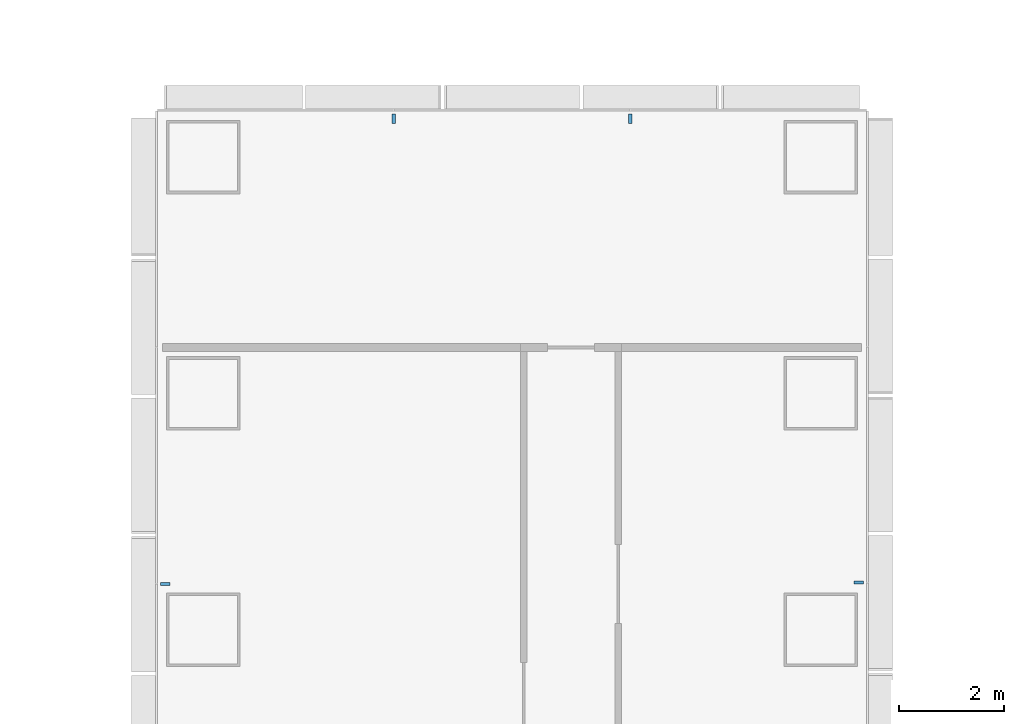
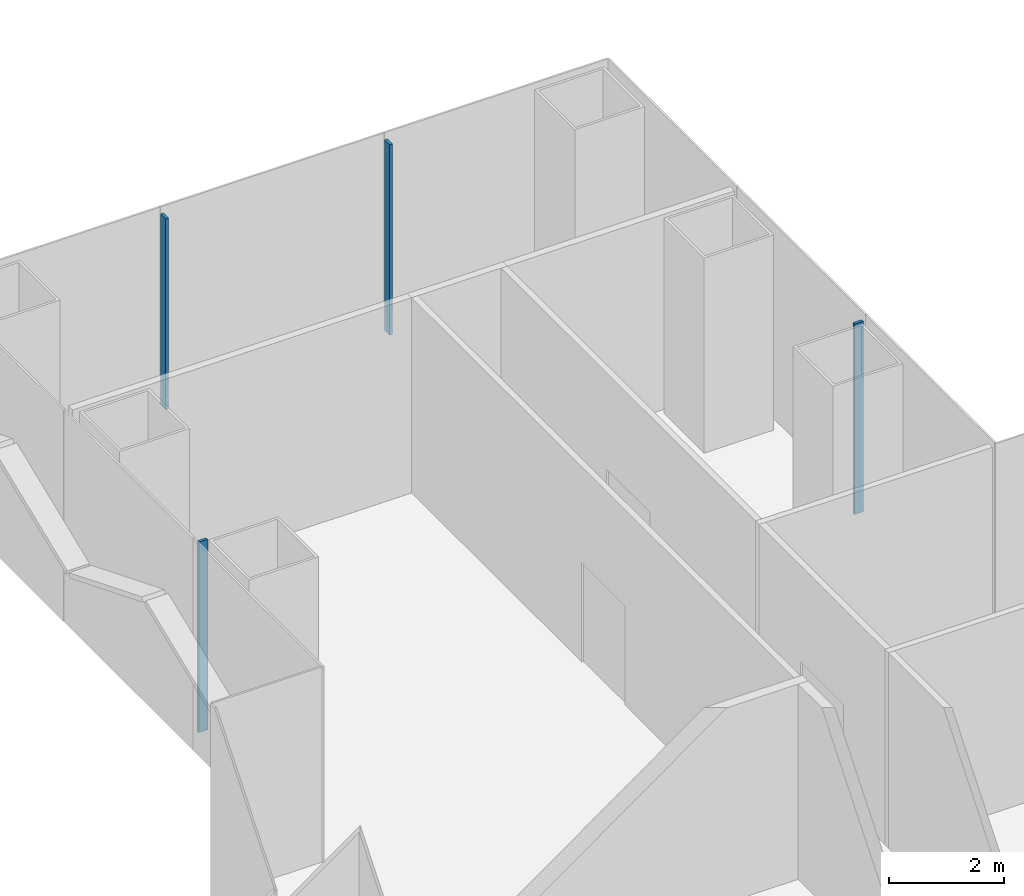
# One storey, part 6 of 22: 4 members, 3 elements without a shape of their own.
"""IFC4 building model written with IfcOpenShell, lengths in metres."""

from ifc_helpers import new_model, si_unit, direction, frame, origin, origin_2d, place, context, subcontext, project, spatial, rectangle, extrude, material, layer, layer_set, material_profile, profile_set, type_object, element, aggregate, save


model = new_model("IFC4")

# Units and contexts
model_context = context("Model", 3, precision=1e-05, world=origin(), true_north=direction((0.0, 1.0)))
body_context = subcontext(model_context, "Body", "Model", "MODEL_VIEW")
ifc_project = project(units=[si_unit("LENGTHUNIT", "METRE"), si_unit("AREAUNIT", "SQUARE_METRE"), si_unit("VOLUMEUNIT", "CUBIC_METRE"), si_unit("PLANEANGLEUNIT", "RADIAN"), si_unit("MASSUNIT", "GRAM", prefix="KILO")], contexts=[model_context])

# Site, building, storey
site_placement = place(None, origin())
site = spatial("IfcSite", under=ifc_project, at=site_placement, CompositionType="ELEMENT")
building_placement = place(site_placement, origin())
building = spatial("IfcBuilding", under=site, at=building_placement, Name="Shamsa Quay Exchange Towers", CompositionType="ELEMENT")
storey_placement = place(building_placement, frame((0.0, 0.0, 37.5)))
storey = spatial("IfcBuildingStorey", under=building, at=storey_placement, Name="L07", CompositionType="ELEMENT", Elevation=37.5)

# Curtain wall, member
ifc_material = material(Name="Aluminium EN AW-6063 T6, black anodised", Category="aluminium")
ifc_layer = layer(ifc_material, 0.280029296875)
ifc_layer_set = layer_set([ifc_layer], Name="CW-1 UNITISED VISION GLASS")
curtain_wall_type = type_object("IfcCurtainWallType", Name="CW-1 UNITISED VISION GLASS", PredefinedType="NOTDEFINED", material=ifc_layer_set)
curtain_wall_1_placement = place(storey_placement, origin())
curtain_wall_1 = element("IfcCurtainWall", 1, at=curtain_wall_1_placement, inside=storey, type_object=curtain_wall_type, Name="CW1 T1-FLK-V+E L07", PredefinedType="NOTDEFINED")
ifc_material_profile = material_profile(ifc_material, rectangle(XDim=0.179931640625, YDim=0.06005859375, at=origin_2d()), Name="MU60x180")
ifc_profile_set = profile_set([ifc_material_profile], Name="Aluminium EN AW-6063 T6, black anodised")
member_type = type_object("IfcMemberType", Name="CW1 MULLION 60x180", PredefinedType="MULLION", material=ifc_profile_set)
member_1_placement = place(storey_placement, frame((-27.14990234375, 15.775390625, 0.0), z_axis=(0.0, 0.0, 1.0), x_axis=(-1.0, 0.0, 0.0)))
member_1 = element("IfcMember", 2, at=member_1_placement, type_object=member_type, Name="CW1 mullion", PredefinedType="MULLION", context=body_context, shape_type="SweptSolid", body=[
    extrude(rectangle(XDim=0.179931640625, YDim=0.06005859375, at=origin_2d()), origin(), (0.0, 0.0, 1.0), 4.050048828125),
])
aggregate(curtain_wall_1, [member_1])

# Curtain wall, members
curtain_wall_2_placement = place(storey_placement, origin())
curtain_wall_2 = element("IfcCurtainWall", 3, at=curtain_wall_2_placement, inside=storey, type_object=curtain_wall_type, Name="CW1 T1-END-V+ L07", PredefinedType="NOTDEFINED")
member_2_placement = place(storey_placement, frame((-31.5, 24.60009765625, 0.0), z_axis=(0.0, 0.0, 1.0), x_axis=(0.0, -1.0, 0.0)))
member_2 = element("IfcMember", 4, at=member_2_placement, type_object=member_type, Name="CW1 mullion", PredefinedType="MULLION", context=body_context, shape_type="SweptSolid", body=[
    extrude(rectangle(XDim=0.179931640625, YDim=0.06005859375, at=origin_2d()), origin(), (0.0, 0.0, 1.0), 4.050048828125),
])
member_3_placement = place(storey_placement, frame((-36.0, 24.60009765625, 0.0), z_axis=(0.0, 0.0, 1.0), x_axis=(0.0, -1.0, 0.0)))
member_3 = element("IfcMember", 5, at=member_3_placement, type_object=member_type, Name="CW1 mullion", PredefinedType="MULLION", context=body_context, shape_type="SweptSolid", body=[
    extrude(rectangle(XDim=0.179931640625, YDim=0.06005859375, at=origin_2d()), origin(), (0.0, 0.0, 1.0), 4.050048828125),
])
aggregate(curtain_wall_2, [member_2, member_3])

# Curtain wall, member
curtain_wall_3_placement = place(storey_placement, origin())
curtain_wall_3 = element("IfcCurtainWall", 6, at=curtain_wall_3_placement, inside=storey, type_object=curtain_wall_type, Name="CW1 T1-FLK-V+W L07", PredefinedType="NOTDEFINED")
member_4_placement = place(storey_placement, frame((-40.35009765625, 15.75, 0.0)))
member_4 = element("IfcMember", 7, at=member_4_placement, type_object=member_type, Name="CW1 mullion", PredefinedType="MULLION", context=body_context, shape_type="SweptSolid", body=[
    extrude(rectangle(XDim=0.179931640625, YDim=0.06005859375, at=origin_2d()), origin(), (0.0, 0.0, 1.0), 4.050048828125),
])
aggregate(curtain_wall_3, [member_4])

save(model, "model.ifc")
